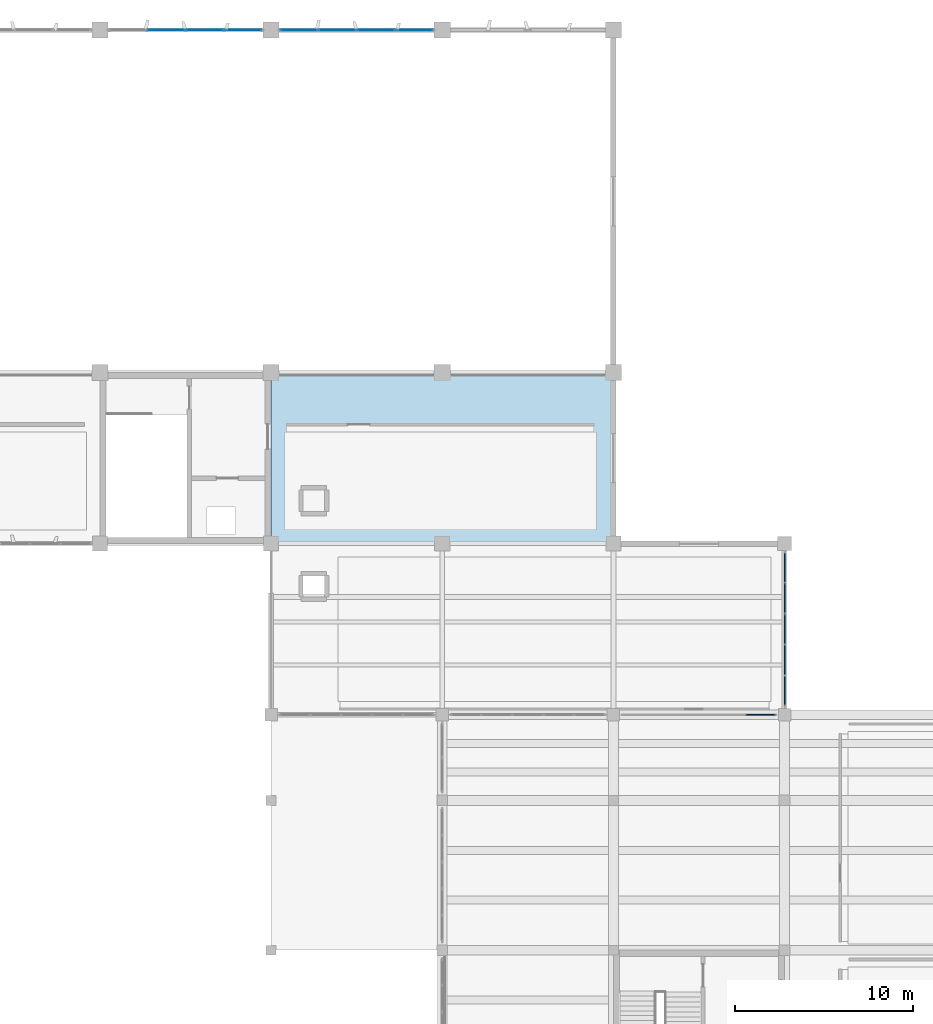
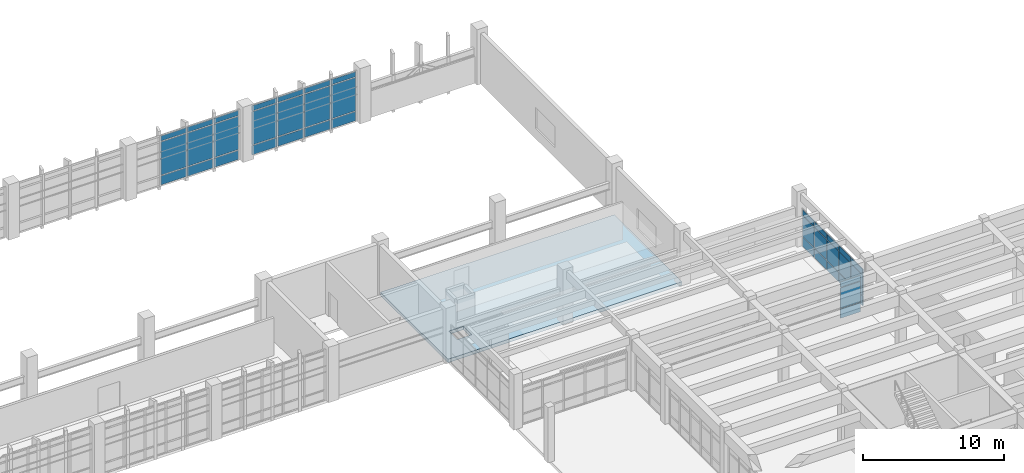
# One storey, part 58 of 86: 39 plates, 1 slab, 4 elements without a shape of their own.
"""IFC4 building model written with IfcOpenShell, lengths in metres."""

from ifc_helpers import new_model, si_unit, direction, frame, origin, origin_2d, place, context, subcontext, project, spatial, polyline, rectangle, outline, extrude, material, layer, layer_set, type_object, element, aggregate, save


model = new_model("IFC4")

# Units and contexts
model_context = context("Model", 3, precision=1e-05, world=origin(), true_north=direction((0.0, 1.0)))
body_context = subcontext(model_context, "Body", "Model", "MODEL_VIEW")
ifc_project = project(units=[si_unit("LENGTHUNIT", "METRE"), si_unit("AREAUNIT", "SQUARE_METRE"), si_unit("VOLUMEUNIT", "CUBIC_METRE"), si_unit("PLANEANGLEUNIT", "RADIAN"), si_unit("MASSUNIT", "GRAM", prefix="KILO")], contexts=[model_context])

# Site, building, storey
site_placement = place(None, origin())
site = spatial("IfcSite", under=ifc_project, at=site_placement, CompositionType="ELEMENT")
building_placement = place(site_placement, origin())
building = spatial("IfcBuilding", under=site, at=building_placement, Name="Kolvemor Railside Polytechnic", CompositionType="ELEMENT")
storey_placement = place(building_placement, frame((0.0, 0.0, 5.39990234375)))
storey = spatial("IfcBuildingStorey", under=building, at=storey_placement, Name="L01", CompositionType="ELEMENT", Elevation=5.39990234375)

# Curtain wall, plates
ifc_material_1 = material(Name="Anodised marine aluminium and laminated low-E glass", Category="aluminium")
ifc_layer_1 = layer(ifc_material_1, 0.179931640625, Name="CW-UNIT-WKS")
ifc_layer_set_1 = layer_set([ifc_layer_1], Name="Anodised marine aluminium and laminated low-E glass")
curtain_wall_type_1 = type_object("IfcCurtainWallType", Name="CW-UNIT-WKS", PredefinedType="USERDEFINED", material=ifc_layer_set_1)
curtain_wall_1_placement = place(storey_placement, origin())
curtain_wall_1 = element("IfcCurtainWall", 1, at=curtain_wall_1_placement, inside=storey, type_object=curtain_wall_type_1, Name="Curtain Wall L01-025", ObjectType="UNITISED CURTAIN WALL", PredefinedType="USERDEFINED")
ifc_material_2 = material(Name="Hurricane-laminated solar-control low-E glass", Category="glass")
ifc_layer_2 = layer(ifc_material_2, 0.0458984375, Name="CWP-GLZ-13")
ifc_layer_set_2 = layer_set([ifc_layer_2], Name="Hurricane-laminated solar-control low-E glass")
plate_type_1 = type_object("IfcPlateType", Name="CWP-GLZ-13", PredefinedType="CURTAIN_PANEL", material=ifc_layer_set_2)
plate_1_placement = place(storey_placement, frame((132.828857421875, 120.0, 0.074951171875), z_axis=(0.0, 0.0, 1.0), x_axis=(-1.0, 0.0, 0.0)))
plate_1 = element("IfcPlate", 2, at=plate_1_placement, type_object=plate_type_1, Name="CW-WKS panel 1.1", PredefinedType="CURTAIN_PANEL", context=body_context, shape_type="SweptSolid", body=[
    extrude(rectangle(XDim=2.052490234375, YDim=0.0458984375, at=origin_2d()), origin(), (0.0, 0.0, 1.0), 0.78759765625),
])
plate_2_placement = place(storey_placement, frame((132.828857421875, 120.0, 0.9375), z_axis=(0.0, 0.0, 1.0), x_axis=(-1.0, 0.0, 0.0)))
plate_2 = element("IfcPlate", 3, at=plate_2_placement, type_object=plate_type_1, Name="CW-WKS panel 1.2", PredefinedType="CURTAIN_PANEL", context=body_context, shape_type="SweptSolid", body=[
    extrude(rectangle(XDim=2.052490234375, YDim=0.0458984375, at=origin_2d()), origin(), (0.0, 0.0, 1.0), 2.875),
])
plate_3_placement = place(storey_placement, frame((132.828857421875, 120.0, 3.8876953125), z_axis=(0.0, 0.0, 1.0), x_axis=(-1.0, 0.0, 0.0)))
plate_3 = element("IfcPlate", 4, at=plate_3_placement, type_object=plate_type_1, Name="CW-WKS panel 1.3", PredefinedType="CURTAIN_PANEL", context=body_context, shape_type="SweptSolid", body=[
    extrude(rectangle(XDim=2.052490234375, YDim=0.0458984375, at=origin_2d()), origin(), (0.0, 0.0, 1.0), 0.4375),
])
plate_4_placement = place(storey_placement, frame((130.6826171875, 120.0, 0.074951171875), z_axis=(0.0, 0.0, 1.0), x_axis=(-1.0, 0.0, 0.0)))
plate_4 = element("IfcPlate", 5, at=plate_4_placement, type_object=plate_type_1, Name="CW-WKS panel 2.1", PredefinedType="CURTAIN_PANEL", context=body_context, shape_type="SweptSolid", body=[
    extrude(rectangle(XDim=2.090087890625, YDim=0.0458984375, at=origin_2d()), origin(), (0.0, 0.0, 1.0), 0.78759765625),
])
plate_5_placement = place(storey_placement, frame((130.6826171875, 120.0, 0.9375), z_axis=(0.0, 0.0, 1.0), x_axis=(-1.0, 0.0, 0.0)))
plate_5 = element("IfcPlate", 6, at=plate_5_placement, type_object=plate_type_1, Name="CW-WKS panel 2.2", PredefinedType="CURTAIN_PANEL", context=body_context, shape_type="SweptSolid", body=[
    extrude(rectangle(XDim=2.090087890625, YDim=0.0458984375, at=origin_2d()), origin(), (0.0, 0.0, 1.0), 2.875),
])
plate_6_placement = place(storey_placement, frame((130.6826171875, 120.0, 3.8876953125), z_axis=(0.0, 0.0, 1.0), x_axis=(-1.0, 0.0, 0.0)))
plate_6 = element("IfcPlate", 7, at=plate_6_placement, type_object=plate_type_1, Name="CW-WKS panel 2.3", PredefinedType="CURTAIN_PANEL", context=body_context, shape_type="SweptSolid", body=[
    extrude(rectangle(XDim=2.090087890625, YDim=0.0458984375, at=origin_2d()), origin(), (0.0, 0.0, 1.0), 0.4375),
])
plate_7_placement = place(storey_placement, frame((128.517578125, 120.0, 0.074951171875), z_axis=(0.0, 0.0, 1.0), x_axis=(-1.0, 0.0, 0.0)))
plate_7 = element("IfcPlate", 8, at=plate_7_placement, type_object=plate_type_1, Name="CW-WKS panel 3.1", PredefinedType="CURTAIN_PANEL", context=body_context, shape_type="SweptSolid", body=[
    extrude(rectangle(XDim=2.090087890625, YDim=0.0458984375, at=origin_2d()), origin(), (0.0, 0.0, 1.0), 0.78759765625),
])
plate_8_placement = place(storey_placement, frame((128.517578125, 120.0, 0.9375), z_axis=(0.0, 0.0, 1.0), x_axis=(-1.0, 0.0, 0.0)))
plate_8 = element("IfcPlate", 9, at=plate_8_placement, type_object=plate_type_1, Name="CW-WKS panel 3.2", PredefinedType="CURTAIN_PANEL", context=body_context, shape_type="SweptSolid", body=[
    extrude(rectangle(XDim=2.090087890625, YDim=0.0458984375, at=origin_2d()), origin(), (0.0, 0.0, 1.0), 2.875),
])
plate_9_placement = place(storey_placement, frame((128.517578125, 120.0, 3.8876953125), z_axis=(0.0, 0.0, 1.0), x_axis=(-1.0, 0.0, 0.0)))
plate_9 = element("IfcPlate", 10, at=plate_9_placement, type_object=plate_type_1, Name="CW-WKS panel 3.3", PredefinedType="CURTAIN_PANEL", context=body_context, shape_type="SweptSolid", body=[
    extrude(rectangle(XDim=2.090087890625, YDim=0.0458984375, at=origin_2d()), origin(), (0.0, 0.0, 1.0), 0.4375),
])
aggregate(curtain_wall_1, [plate_1, plate_2, plate_3, plate_4, plate_5, plate_6, plate_7, plate_8, plate_9])

curtain_wall_2_placement = place(storey_placement, origin())
curtain_wall_2 = element("IfcCurtainWall", 11, at=curtain_wall_2_placement, inside=storey, type_object=curtain_wall_type_1, Name="Curtain Wall L01-027", ObjectType="UNITISED CURTAIN WALL", PredefinedType="USERDEFINED")
ifc_material_3 = material(Name="Hurricane-laminated solar-control low-E glass", Category="glass")
ifc_layer_3 = layer(ifc_material_3, 0.053955078125, Name="CWP-GLZ-17")
ifc_layer_set_3 = layer_set([ifc_layer_3], Name="Hurricane-laminated solar-control low-E glass")
plate_type_2 = type_object("IfcPlateType", Name="CWP-GLZ-17", PredefinedType="CURTAIN_PANEL", material=ifc_layer_set_3)
plate_10_placement = place(storey_placement, frame((142.4287109375, 120.0, 0.074951171875), z_axis=(0.0, 0.0, 1.0), x_axis=(-1.0, 0.0, 0.0)))
plate_10 = element("IfcPlate", 12, at=plate_10_placement, type_object=plate_type_2, Name="CW-WKS panel 1.1", PredefinedType="CURTAIN_PANEL", context=body_context, shape_type="SweptSolid", body=[
    extrude(rectangle(XDim=2.052490234375, YDim=0.053955078125, at=origin_2d()), origin(), (0.0, 0.0, 1.0), 0.78759765625),
])
plate_11_placement = place(storey_placement, frame((142.4287109375, 120.0, 0.9375), z_axis=(0.0, 0.0, 1.0), x_axis=(-1.0, 0.0, 0.0)))
plate_11 = element("IfcPlate", 13, at=plate_11_placement, type_object=plate_type_2, Name="CW-WKS panel 1.2", PredefinedType="CURTAIN_PANEL", context=body_context, shape_type="SweptSolid", body=[
    extrude(rectangle(XDim=2.052490234375, YDim=0.053955078125, at=origin_2d()), origin(), (0.0, 0.0, 1.0), 2.875),
])
plate_12_placement = place(storey_placement, frame((142.4287109375, 120.0, 3.8876953125), z_axis=(0.0, 0.0, 1.0), x_axis=(-1.0, 0.0, 0.0)))
plate_12 = element("IfcPlate", 14, at=plate_12_placement, type_object=plate_type_2, Name="CW-WKS panel 1.3", PredefinedType="CURTAIN_PANEL", context=body_context, shape_type="SweptSolid", body=[
    extrude(rectangle(XDim=2.052490234375, YDim=0.053955078125, at=origin_2d()), origin(), (0.0, 0.0, 1.0), 0.4375),
])
plate_13_placement = place(storey_placement, frame((140.282470703125, 120.0, 0.074951171875), z_axis=(0.0, 0.0, 1.0), x_axis=(-1.0, 0.0, 0.0)))
plate_13 = element("IfcPlate", 15, at=plate_13_placement, type_object=plate_type_2, Name="CW-WKS panel 2.1", PredefinedType="CURTAIN_PANEL", context=body_context, shape_type="SweptSolid", body=[
    extrude(rectangle(XDim=2.090087890625, YDim=0.053955078125, at=origin_2d()), origin(), (0.0, 0.0, 1.0), 0.78759765625),
])
plate_14_placement = place(storey_placement, frame((140.282470703125, 120.0, 0.9375), z_axis=(0.0, 0.0, 1.0), x_axis=(-1.0, 0.0, 0.0)))
plate_14 = element("IfcPlate", 16, at=plate_14_placement, type_object=plate_type_2, Name="CW-WKS panel 2.2", PredefinedType="CURTAIN_PANEL", context=body_context, shape_type="SweptSolid", body=[
    extrude(rectangle(XDim=2.090087890625, YDim=0.053955078125, at=origin_2d()), origin(), (0.0, 0.0, 1.0), 2.875),
])
plate_15_placement = place(storey_placement, frame((140.282470703125, 120.0, 3.8876953125), z_axis=(0.0, 0.0, 1.0), x_axis=(-1.0, 0.0, 0.0)))
plate_15 = element("IfcPlate", 17, at=plate_15_placement, type_object=plate_type_2, Name="CW-WKS panel 2.3", PredefinedType="CURTAIN_PANEL", context=body_context, shape_type="SweptSolid", body=[
    extrude(rectangle(XDim=2.090087890625, YDim=0.053955078125, at=origin_2d()), origin(), (0.0, 0.0, 1.0), 0.4375),
])
plate_16_placement = place(storey_placement, frame((138.117431640625, 120.0, 0.074951171875), z_axis=(0.0, 0.0, 1.0), x_axis=(-1.0, 0.0, 0.0)))
plate_16 = element("IfcPlate", 18, at=plate_16_placement, type_object=plate_type_2, Name="CW-WKS panel 3.1", PredefinedType="CURTAIN_PANEL", context=body_context, shape_type="SweptSolid", body=[
    extrude(rectangle(XDim=2.090087890625, YDim=0.053955078125, at=origin_2d()), origin(), (0.0, 0.0, 1.0), 0.78759765625),
])
plate_17_placement = place(storey_placement, frame((138.117431640625, 120.0, 0.9375), z_axis=(0.0, 0.0, 1.0), x_axis=(-1.0, 0.0, 0.0)))
plate_17 = element("IfcPlate", 19, at=plate_17_placement, type_object=plate_type_2, Name="CW-WKS panel 3.2", PredefinedType="CURTAIN_PANEL", context=body_context, shape_type="SweptSolid", body=[
    extrude(rectangle(XDim=2.090087890625, YDim=0.053955078125, at=origin_2d()), origin(), (0.0, 0.0, 1.0), 2.875),
])
plate_18_placement = place(storey_placement, frame((138.117431640625, 120.0, 3.8876953125), z_axis=(0.0, 0.0, 1.0), x_axis=(-1.0, 0.0, 0.0)))
plate_18 = element("IfcPlate", 20, at=plate_18_placement, type_object=plate_type_2, Name="CW-WKS panel 3.3", PredefinedType="CURTAIN_PANEL", context=body_context, shape_type="SweptSolid", body=[
    extrude(rectangle(XDim=2.090087890625, YDim=0.053955078125, at=origin_2d()), origin(), (0.0, 0.0, 1.0), 0.4375),
])
plate_19_placement = place(storey_placement, frame((135.97119140625, 120.0, 0.074951171875), z_axis=(0.0, 0.0, 1.0), x_axis=(-1.0, 0.0, 0.0)))
plate_19 = element("IfcPlate", 21, at=plate_19_placement, type_object=plate_type_2, Name="CW-WKS panel 4.1", PredefinedType="CURTAIN_PANEL", context=body_context, shape_type="SweptSolid", body=[
    extrude(rectangle(XDim=2.052490234375, YDim=0.053955078125, at=origin_2d()), origin(), (0.0, 0.0, 1.0), 0.78759765625),
])
plate_20_placement = place(storey_placement, frame((135.97119140625, 120.0, 0.9375), z_axis=(0.0, 0.0, 1.0), x_axis=(-1.0, 0.0, 0.0)))
plate_20 = element("IfcPlate", 22, at=plate_20_placement, type_object=plate_type_2, Name="CW-WKS panel 4.2", PredefinedType="CURTAIN_PANEL", context=body_context, shape_type="SweptSolid", body=[
    extrude(rectangle(XDim=2.052490234375, YDim=0.053955078125, at=origin_2d()), origin(), (0.0, 0.0, 1.0), 2.875),
])
plate_21_placement = place(storey_placement, frame((135.97119140625, 120.0, 3.8876953125), z_axis=(0.0, 0.0, 1.0), x_axis=(-1.0, 0.0, 0.0)))
plate_21 = element("IfcPlate", 23, at=plate_21_placement, type_object=plate_type_2, Name="CW-WKS panel 4.3", PredefinedType="CURTAIN_PANEL", context=body_context, shape_type="SweptSolid", body=[
    extrude(rectangle(XDim=2.052490234375, YDim=0.053955078125, at=origin_2d()), origin(), (0.0, 0.0, 1.0), 0.4375),
])
aggregate(curtain_wall_2, [plate_10, plate_11, plate_12, plate_13, plate_14, plate_15, plate_16, plate_17, plate_18, plate_19, plate_20, plate_21])

ifc_material_4 = material(Name="Anodised marine aluminium and laminated low-E glass", Category="aluminium")
ifc_layer_4 = layer(ifc_material_4, 0.179931640625, Name="CW-UNIT-STD")
ifc_layer_set_4 = layer_set([ifc_layer_4], Name="Anodised marine aluminium and laminated low-E glass")
curtain_wall_type_2 = type_object("IfcCurtainWallType", Name="CW-UNIT-STD", PredefinedType="USERDEFINED", material=ifc_layer_set_4)
curtain_wall_3_placement = place(storey_placement, origin())
curtain_wall_3 = element("IfcCurtainWall", 24, at=curtain_wall_3_placement, inside=storey, type_object=curtain_wall_type_2, Name="Curtain Wall L01-041", ObjectType="UNITISED CURTAIN WALL", PredefinedType="USERDEFINED")
ifc_material_5 = material(Name="Hurricane-laminated solar-control low-E glass", Category="glass")
ifc_layer_5 = layer(ifc_material_5, 0.05810546875, Name="CWP-GLZ-19")
ifc_layer_set_5 = layer_set([ifc_layer_5], Name="Hurricane-laminated solar-control low-E glass")
plate_type_3 = type_object("IfcPlateType", Name="CWP-GLZ-19", PredefinedType="CURTAIN_PANEL", material=ifc_layer_set_5)
plate_22_placement = place(storey_placement, frame((161.84765625, 81.60009765625, 0.06494140625), z_axis=(0.0, 0.0, 1.0), x_axis=(-1.0, 0.0, 0.0)))
plate_22 = element("IfcPlate", 25, at=plate_22_placement, type_object=plate_type_3, Name="CW-STD panel 1.1", PredefinedType="CURTAIN_PANEL", context=body_context, shape_type="SweptSolid", body=[
    extrude(rectangle(XDim=1.634521484375, YDim=0.05810546875, at=origin_2d()), origin(), (0.0, 0.0, 1.0), 0.802490234375),
])
plate_23_placement = place(storey_placement, frame((161.84765625, 81.60009765625, 0.9326171875), z_axis=(0.0, 0.0, 1.0), x_axis=(-1.0, 0.0, 0.0)))
plate_23 = element("IfcPlate", 26, at=plate_23_placement, type_object=plate_type_3, Name="CW-STD panel 1.2", PredefinedType="CURTAIN_PANEL", context=body_context, shape_type="SweptSolid", body=[
    extrude(rectangle(XDim=1.634521484375, YDim=0.05810546875, at=origin_2d()), origin(), (0.0, 0.0, 1.0), 1.764892578125),
])
plate_24_placement = place(storey_placement, frame((161.84765625, 81.60009765625, 2.7626953125), z_axis=(0.0, 0.0, 1.0), x_axis=(-1.0, 0.0, 0.0)))
plate_24 = element("IfcPlate", 27, at=plate_24_placement, type_object=plate_type_3, Name="CW-STD panel 1.3", PredefinedType="CURTAIN_PANEL", context=body_context, shape_type="SweptSolid", body=[
    extrude(rectangle(XDim=1.634521484375, YDim=0.05810546875, at=origin_2d()), origin(), (0.0, 0.0, 1.0), 0.452392578125),
])
aggregate(curtain_wall_3, [plate_22, plate_23, plate_24])

curtain_wall_4_placement = place(storey_placement, origin())
curtain_wall_4 = element("IfcCurtainWall", 28, at=curtain_wall_4_placement, inside=storey, type_object=curtain_wall_type_2, Name="Curtain Wall L01-043", ObjectType="UNITISED CURTAIN WALL", PredefinedType="USERDEFINED")
ifc_material_6 = material(Name="Hurricane-laminated solar-control low-E glass", Category="glass")
ifc_layer_6 = layer(ifc_material_6, 0.06396484375, Name="CWP-GLZ-22")
ifc_layer_set_6 = layer_set([ifc_layer_6], Name="Hurricane-laminated solar-control low-E glass")
plate_type_4 = type_object("IfcPlateType", Name="CWP-GLZ-22", PredefinedType="CURTAIN_PANEL", material=ifc_layer_set_6)
plate_25_placement = place(storey_placement, frame((163.199951171875, 82.9521484375, 0.06494140625), z_axis=(0.0, 0.0, 1.0), x_axis=(0.0, 1.0, 0.0)))
plate_25 = element("IfcPlate", 29, at=plate_25_placement, type_object=plate_type_4, Name="CW-STD panel 1.1", PredefinedType="CURTAIN_PANEL", context=body_context, shape_type="SweptSolid", body=[
    extrude(rectangle(XDim=1.634521484375, YDim=0.06396484375, at=origin_2d()), origin(), (0.0, 0.0, 1.0), 0.802490234375),
])
plate_26_placement = place(storey_placement, frame((163.199951171875, 82.9521484375, 0.9326171875), z_axis=(0.0, 0.0, 1.0), x_axis=(0.0, 1.0, 0.0)))
plate_26 = element("IfcPlate", 30, at=plate_26_placement, type_object=plate_type_4, Name="CW-STD panel 1.2", PredefinedType="CURTAIN_PANEL", context=body_context, shape_type="SweptSolid", body=[
    extrude(rectangle(XDim=1.634521484375, YDim=0.06396484375, at=origin_2d()), origin(), (0.0, 0.0, 1.0), 1.764892578125),
])
plate_27_placement = place(storey_placement, frame((163.199951171875, 82.9521484375, 2.7626953125), z_axis=(0.0, 0.0, 1.0), x_axis=(0.0, 1.0, 0.0)))
plate_27 = element("IfcPlate", 31, at=plate_27_placement, type_object=plate_type_4, Name="CW-STD panel 1.3", PredefinedType="CURTAIN_PANEL", context=body_context, shape_type="SweptSolid", body=[
    extrude(rectangle(XDim=1.634521484375, YDim=0.06396484375, at=origin_2d()), origin(), (0.0, 0.0, 1.0), 0.452392578125),
])
plate_28_placement = place(storey_placement, frame((163.199951171875, 84.66796875, 0.06494140625), z_axis=(0.0, 0.0, 1.0), x_axis=(0.0, 1.0, 0.0)))
plate_28 = element("IfcPlate", 32, at=plate_28_placement, type_object=plate_type_4, Name="CW-STD panel 2.1", PredefinedType="CURTAIN_PANEL", context=body_context, shape_type="SweptSolid", body=[
    extrude(rectangle(XDim=1.6669921875, YDim=0.06396484375, at=origin_2d()), origin(), (0.0, 0.0, 1.0), 0.802490234375),
])
plate_29_placement = place(storey_placement, frame((163.199951171875, 84.66796875, 0.9326171875), z_axis=(0.0, 0.0, 1.0), x_axis=(0.0, 1.0, 0.0)))
plate_29 = element("IfcPlate", 33, at=plate_29_placement, type_object=plate_type_4, Name="CW-STD panel 2.2", PredefinedType="CURTAIN_PANEL", context=body_context, shape_type="SweptSolid", body=[
    extrude(rectangle(XDim=1.6669921875, YDim=0.06396484375, at=origin_2d()), origin(), (0.0, 0.0, 1.0), 1.764892578125),
])
plate_30_placement = place(storey_placement, frame((163.199951171875, 84.66796875, 2.7626953125), z_axis=(0.0, 0.0, 1.0), x_axis=(0.0, 1.0, 0.0)))
plate_30 = element("IfcPlate", 34, at=plate_30_placement, type_object=plate_type_4, Name="CW-STD panel 2.3", PredefinedType="CURTAIN_PANEL", context=body_context, shape_type="SweptSolid", body=[
    extrude(rectangle(XDim=1.6669921875, YDim=0.06396484375, at=origin_2d()), origin(), (0.0, 0.0, 1.0), 0.452392578125),
])
plate_31_placement = place(storey_placement, frame((163.199951171875, 86.39990234375, 0.06494140625), z_axis=(0.0, 0.0, 1.0), x_axis=(0.0, 1.0, 0.0)))
plate_31 = element("IfcPlate", 35, at=plate_31_placement, type_object=plate_type_4, Name="CW-STD panel 3.1", PredefinedType="CURTAIN_PANEL", context=body_context, shape_type="SweptSolid", body=[
    extrude(rectangle(XDim=1.6669921875, YDim=0.06396484375, at=origin_2d()), origin(), (0.0, 0.0, 1.0), 0.802490234375),
])
plate_32_placement = place(storey_placement, frame((163.199951171875, 86.39990234375, 0.9326171875), z_axis=(0.0, 0.0, 1.0), x_axis=(0.0, 1.0, 0.0)))
plate_32 = element("IfcPlate", 36, at=plate_32_placement, type_object=plate_type_4, Name="CW-STD panel 3.2", PredefinedType="CURTAIN_PANEL", context=body_context, shape_type="SweptSolid", body=[
    extrude(rectangle(XDim=1.6669921875, YDim=0.06396484375, at=origin_2d()), origin(), (0.0, 0.0, 1.0), 1.764892578125),
])
plate_33_placement = place(storey_placement, frame((163.199951171875, 86.39990234375, 2.7626953125), z_axis=(0.0, 0.0, 1.0), x_axis=(0.0, 1.0, 0.0)))
plate_33 = element("IfcPlate", 37, at=plate_33_placement, type_object=plate_type_4, Name="CW-STD panel 3.3", PredefinedType="CURTAIN_PANEL", context=body_context, shape_type="SweptSolid", body=[
    extrude(rectangle(XDim=1.6669921875, YDim=0.06396484375, at=origin_2d()), origin(), (0.0, 0.0, 1.0), 0.452392578125),
])
plate_34_placement = place(storey_placement, frame((163.199951171875, 88.132080078125, 0.06494140625), z_axis=(0.0, 0.0, 1.0), x_axis=(0.0, 1.0, 0.0)))
plate_34 = element("IfcPlate", 38, at=plate_34_placement, type_object=plate_type_4, Name="CW-STD panel 4.1", PredefinedType="CURTAIN_PANEL", context=body_context, shape_type="SweptSolid", body=[
    extrude(rectangle(XDim=1.6669921875, YDim=0.06396484375, at=origin_2d()), origin(), (0.0, 0.0, 1.0), 0.802490234375),
])
plate_35_placement = place(storey_placement, frame((163.199951171875, 88.132080078125, 0.9326171875), z_axis=(0.0, 0.0, 1.0), x_axis=(0.0, 1.0, 0.0)))
plate_35 = element("IfcPlate", 39, at=plate_35_placement, type_object=plate_type_4, Name="CW-STD panel 4.2", PredefinedType="CURTAIN_PANEL", context=body_context, shape_type="SweptSolid", body=[
    extrude(rectangle(XDim=1.6669921875, YDim=0.06396484375, at=origin_2d()), origin(), (0.0, 0.0, 1.0), 1.764892578125),
])
plate_36_placement = place(storey_placement, frame((163.199951171875, 88.132080078125, 2.7626953125), z_axis=(0.0, 0.0, 1.0), x_axis=(0.0, 1.0, 0.0)))
plate_36 = element("IfcPlate", 40, at=plate_36_placement, type_object=plate_type_4, Name="CW-STD panel 4.3", PredefinedType="CURTAIN_PANEL", context=body_context, shape_type="SweptSolid", body=[
    extrude(rectangle(XDim=1.6669921875, YDim=0.06396484375, at=origin_2d()), origin(), (0.0, 0.0, 1.0), 0.452392578125),
])
plate_37_placement = place(storey_placement, frame((163.199951171875, 89.84765625, 0.06494140625), z_axis=(0.0, 0.0, 1.0), x_axis=(0.0, 1.0, 0.0)))
plate_37 = element("IfcPlate", 41, at=plate_37_placement, type_object=plate_type_4, Name="CW-STD panel 5.1", PredefinedType="CURTAIN_PANEL", context=body_context, shape_type="SweptSolid", body=[
    extrude(rectangle(XDim=1.634521484375, YDim=0.06396484375, at=origin_2d()), origin(), (0.0, 0.0, 1.0), 0.802490234375),
])
plate_38_placement = place(storey_placement, frame((163.199951171875, 89.84765625, 0.9326171875), z_axis=(0.0, 0.0, 1.0), x_axis=(0.0, 1.0, 0.0)))
plate_38 = element("IfcPlate", 42, at=plate_38_placement, type_object=plate_type_4, Name="CW-STD panel 5.2", PredefinedType="CURTAIN_PANEL", context=body_context, shape_type="SweptSolid", body=[
    extrude(rectangle(XDim=1.634521484375, YDim=0.06396484375, at=origin_2d()), origin(), (0.0, 0.0, 1.0), 1.764892578125),
])
plate_39_placement = place(storey_placement, frame((163.199951171875, 89.84765625, 2.7626953125), z_axis=(0.0, 0.0, 1.0), x_axis=(0.0, 1.0, 0.0)))
plate_39 = element("IfcPlate", 43, at=plate_39_placement, type_object=plate_type_4, Name="CW-STD panel 5.3", PredefinedType="CURTAIN_PANEL", context=body_context, shape_type="SweptSolid", body=[
    extrude(rectangle(XDim=1.634521484375, YDim=0.06396484375, at=origin_2d()), origin(), (0.0, 0.0, 1.0), 0.452392578125),
])
aggregate(curtain_wall_4, [plate_25, plate_26, plate_27, plate_28, plate_29, plate_30, plate_31, plate_32, plate_33, plate_34, plate_35, plate_36, plate_37, plate_38, plate_39])

# Slab
ifc_material_7 = material(Name="Concrete C40/50", Category="concrete")
ifc_layer_7 = layer(ifc_material_7, 0.2900390625, Name="SLB-POD-GAL")
ifc_layer_set_7 = layer_set([ifc_layer_7], Name="Concrete C40/50")
slab_type = type_object("IfcSlabType", Name="SLB-POD-GAL", PredefinedType="FLOOR", material=ifc_layer_set_7)
slab_placement = place(storey_placement, frame((0.0, 0.0, -0.289794921875)))
element("IfcSlab", 44, at=slab_placement, inside=storey, type_object=slab_type, Name="Workshop Crane Gallery Slab L01-42", PredefinedType="FLOOR", context=body_context, shape_type="SweptSolid", body=[
    extrude(outline(polyline([(134.39990234375, 91.199951171875), (153.60009765625, 91.199951171875), (153.60009765625, 100.800048828125), (134.39990234375, 100.800048828125), (134.39990234375, 91.199951171875)]), holes=[polyline([(136.199951171875, 93.0), (137.39990234375, 93.0), (137.39990234375, 94.199951171875), (136.199951171875, 94.199951171875), (136.199951171875, 93.0)])]), origin(), (0.0, 0.0, 1.0), 0.289794921875),
])

save(model, "model.ifc")
